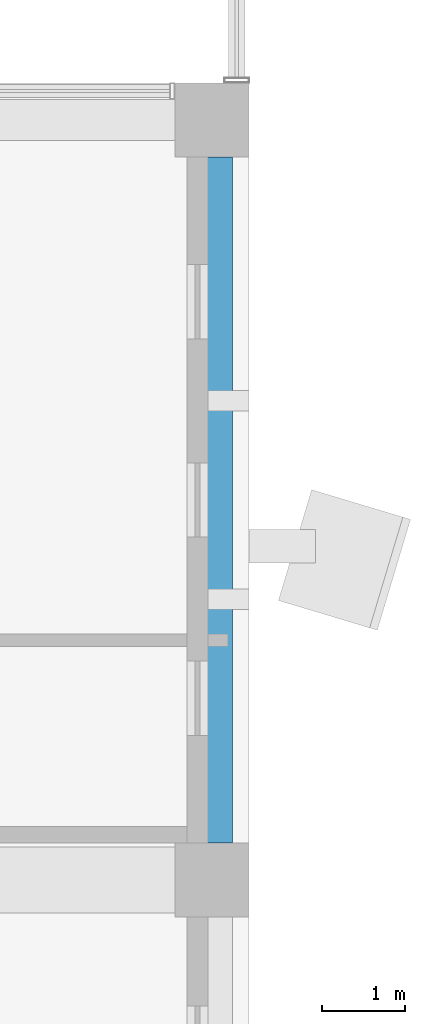
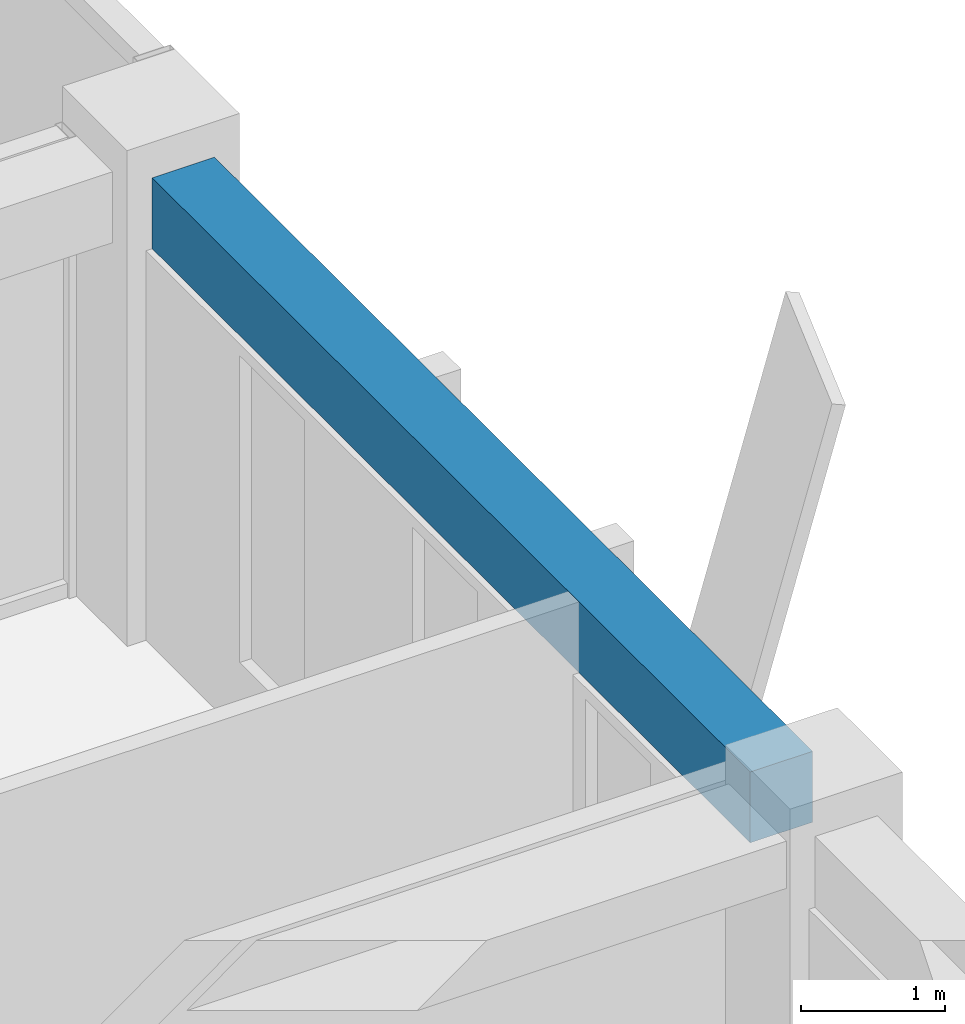
# One storey, part 15 of 36: 1 beam.
"""IFC4 building model written with IfcOpenShell, lengths in metres."""

from ifc_helpers import new_model, si_unit, direction, frame, origin, origin_2d, place, context, subcontext, project, spatial, rectangle, extrude, material, material_profile, profile_set, type_object, element, save


model = new_model("IFC4")

# Units and contexts
model_context = context("Model", 3, precision=1e-05, world=origin(), true_north=direction((0.0, 1.0)))
body_context = subcontext(model_context, "Body", "Model", "MODEL_VIEW")
ifc_project = project(units=[si_unit("LENGTHUNIT", "METRE"), si_unit("AREAUNIT", "SQUARE_METRE"), si_unit("VOLUMEUNIT", "CUBIC_METRE"), si_unit("PLANEANGLEUNIT", "RADIAN"), si_unit("MASSUNIT", "GRAM", prefix="KILO")], contexts=[model_context])

# Site, building, storey
site_placement = place(None, origin())
site = spatial("IfcSite", under=ifc_project, at=site_placement, CompositionType="ELEMENT")
building_placement = place(site_placement, origin())
building = spatial("IfcBuilding", under=site, at=building_placement, Name="Nzadi Deep Aquarium and Research Tower", CompositionType="ELEMENT")
storey_placement = place(building_placement, frame((0.0, 0.0, 36.10009765625)))
storey = spatial("IfcBuildingStorey", under=building, at=storey_placement, Name="L06", CompositionType="ELEMENT", Elevation=36.10009765625)

# Beam
ifc_material = material(Name="Concrete C35/45", Category="concrete")
ifc_material_profile = material_profile(ifc_material, rectangle(XDim=0.5, YDim=0.60009765625, at=origin_2d()))
ifc_profile_set = profile_set([ifc_material_profile], Name="Concrete C35/45")
beam_type = type_object("IfcBeamType", Name="RC 500x600", PredefinedType="BEAM", material=ifc_profile_set)
beam_placement = place(storey_placement, frame((48.0, 9.64990234375, 3.599853515625), z_axis=(0.0, 1.0, 0.0), x_axis=(-1.0, 0.0, 0.0)))
element("IfcBeam", 1, at=beam_placement, inside=storey, type_object=beam_type, Name="B-Z1-L06-CF-2-1", PredefinedType="BEAM", context=body_context, shape_type="SweptSolid", body=[
    extrude(rectangle(XDim=0.5, YDim=0.60009765625, at=origin_2d()), origin(), (0.0, 0.0, 1.0), 8.300048828125),
])

save(model, "model.ifc")
